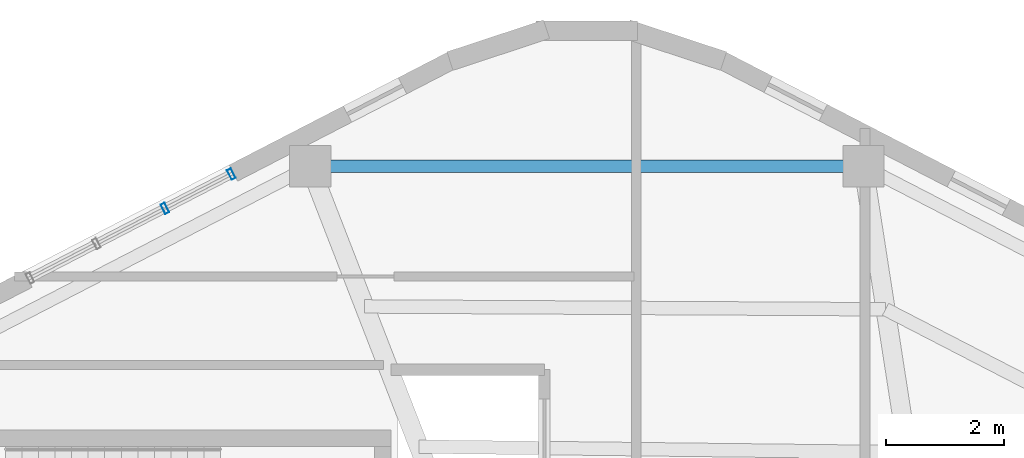
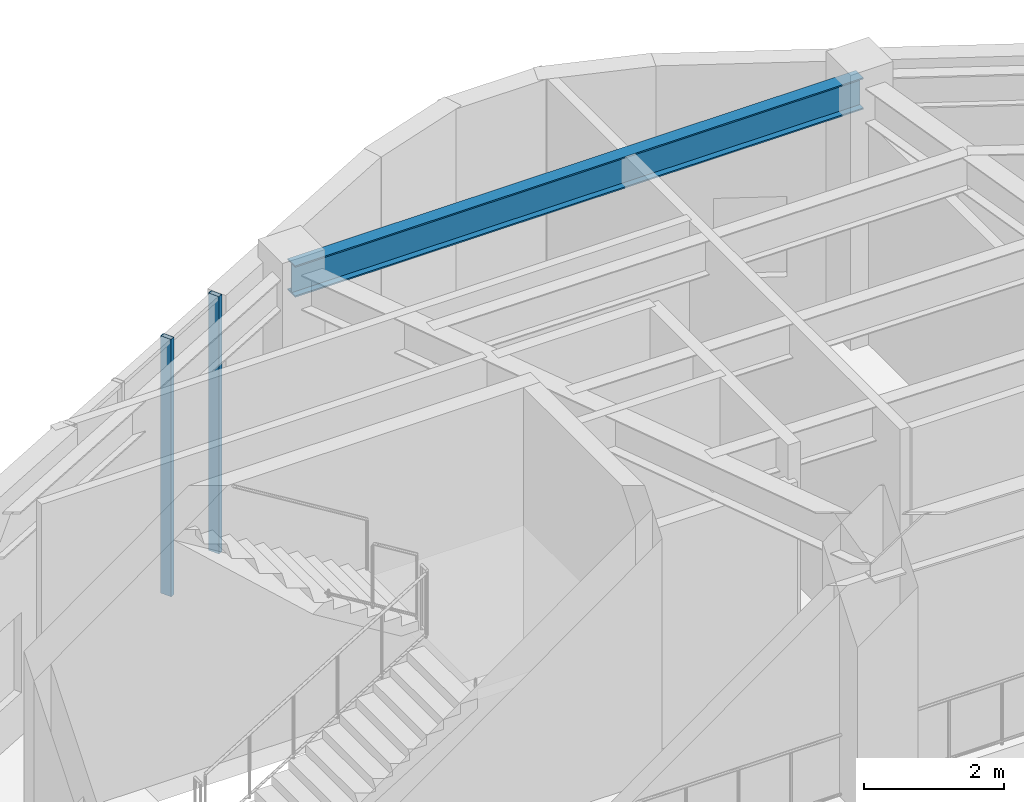
# One storey, part 12 of 19: 2 members, 1 beam, 1 element without a shape of its own.
"""IFC4 building model written with IfcOpenShell, lengths in metres."""

from ifc_helpers import new_model, si_unit, direction, frame, origin, origin_2d, place, context, subcontext, project, spatial, hollow_rectangle, i_section, extrude, material, layer, layer_set, material_profile, profile_set, type_object, element, aggregate, save


model = new_model("IFC4")

# Units and contexts
model_context = context("Model", 3, precision=1e-05, world=origin(), true_north=direction((0.0, 1.0)))
body_context = subcontext(model_context, "Body", "Model", "MODEL_VIEW")
ifc_project = project(units=[si_unit("LENGTHUNIT", "METRE"), si_unit("AREAUNIT", "SQUARE_METRE"), si_unit("VOLUMEUNIT", "CUBIC_METRE"), si_unit("PLANEANGLEUNIT", "RADIAN"), si_unit("MASSUNIT", "GRAM", prefix="KILO"), si_unit("THERMODYNAMICTEMPERATUREUNIT", "KELVIN"), si_unit("POWERUNIT", "WATT")], contexts=[model_context])

# Site, building, storey
site_placement = place(None, origin())
site = spatial("IfcSite", under=ifc_project, at=site_placement, CompositionType="ELEMENT")
building_placement = place(site_placement, origin())
building = spatial("IfcBuilding", under=site, at=building_placement, Name="Skarre Station Tower", CompositionType="ELEMENT")
storey_placement = place(building_placement, frame((0.0, 0.0, 275.10009765625)))
storey = spatial("IfcBuildingStorey", under=building, at=storey_placement, Name="L75", CompositionType="ELEMENT", Elevation=275.10009765625)

# Curtain wall, members
ifc_material_1 = material(Name="Thermally Broken Bronze-Anodized Aluminium & Triple Low-E Glass", Category="aluminium")
ifc_layer = layer(ifc_material_1, 0.219970703125, Name="Thermally Broken Bronze-Anodized Aluminium & Triple Low-E Glass")
ifc_layer_set = layer_set([ifc_layer], Name="Thermally Broken Bronze-Anodized Aluminium & Triple Low-E Glass")
curtain_wall_type = type_object("IfcCurtainWallType", Name="Observation Deck Panorama Unitised Curtain Wall", PredefinedType="NOTDEFINED", material=ifc_layer_set)
curtain_wall_placement = place(storey_placement, origin())
curtain_wall = element("IfcCurtainWall", 1, at=curtain_wall_placement, inside=storey, type_object=curtain_wall_type, Name="L75 Facet 1 Observatory Curtain Wall", PredefinedType="NOTDEFINED")
ifc_material_2 = material(Name="Anodized Aluminium 6063-T6", Category="aluminium")
ifc_material_profile_1 = material_profile(ifc_material_2, hollow_rectangle(XDim=0.074951171875, YDim=0.179931640625, WallThickness=0.00390625, at=origin_2d()), Name="Anodized Aluminium 6063-T6")
ifc_profile_set_1 = profile_set([ifc_material_profile_1], Name="Anodized Aluminium 6063-T6")
member_type = type_object("IfcMemberType", Name="Curtain-Wall Unitised Tower Mullion 180x75", PredefinedType="MULLION", material=ifc_profile_set_1)
member_1_placement = place(storey_placement, frame((26.051025390625, 38.73388671875, 0.0), z_axis=(0.0, 0.0, 1.0), x_axis=(0.88848110948, 0.458913192332, 0.0)))
member_1 = element("IfcMember", 2, at=member_1_placement, type_object=member_type, Name="L75 Facet 1 Observatory Curtain Wall Mullion 3", PredefinedType="MULLION", context=body_context, shape_type="SweptSolid", body=[
    extrude(hollow_rectangle(XDim=0.074951171875, YDim=0.179931640625, WallThickness=0.00390625, at=origin_2d()), origin(), (0.0, 0.0, 1.0), 4.489990234375),
])
member_2_placement = place(storey_placement, frame((27.176025390625, 39.31591796875, 0.0), z_axis=(0.0, 0.0, 1.0), x_axis=(0.88848110948, 0.458913192332, 0.0)))
member_2 = element("IfcMember", 3, at=member_2_placement, type_object=member_type, Name="L75 Facet 1 Observatory Curtain Wall Mullion 4", PredefinedType="MULLION", context=body_context, shape_type="SweptSolid", body=[
    extrude(hollow_rectangle(XDim=0.074951171875, YDim=0.179931640625, WallThickness=0.00390625, at=origin_2d()), origin(), (0.0, 0.0, 1.0), 4.489990234375),
])
aggregate(curtain_wall, [member_1, member_2])

# Beam
ifc_material_3 = material(Name="Steel ASTM A992 Grade 50", Category="steel")
ifc_material_profile_2 = material_profile(ifc_material_3, i_section(OverallWidth=0.214111328125, OverallDepth=0.549072265625, WebThickness=0.014892578125, FlangeThickness=0.02392578125, at=origin_2d()), Name="Steel ASTM A992 Grade 50")
ifc_profile_set_2 = profile_set([ifc_material_profile_2], Name="Steel ASTM A992 Grade 50")
beam_type = type_object("IfcBeamType", Name="Steel Spandrel W21X93", PredefinedType="SPANDREL", material=ifc_profile_set_2)
beam_placement = place(storey_placement, frame((37.888916015625, 39.447021484375, 4.21484375), z_axis=(-1.0, 0.0, 0.0), x_axis=(0.0, -1.0, 0.0)))
element("IfcBeam", 4, at=beam_placement, inside=storey, type_object=beam_type, Name="L75 Facet Spandrel Beam 2", PredefinedType="SPANDREL", context=body_context, shape_type="SweptSolid", body=[
    extrude(i_section(OverallWidth=0.214111328125, OverallDepth=0.549072265625, WebThickness=0.014892578125, FlangeThickness=0.02392578125, at=origin_2d()), origin(), (0.0, 0.0, 1.0), 9.3779296875),
])

save(model, "model.ifc")
